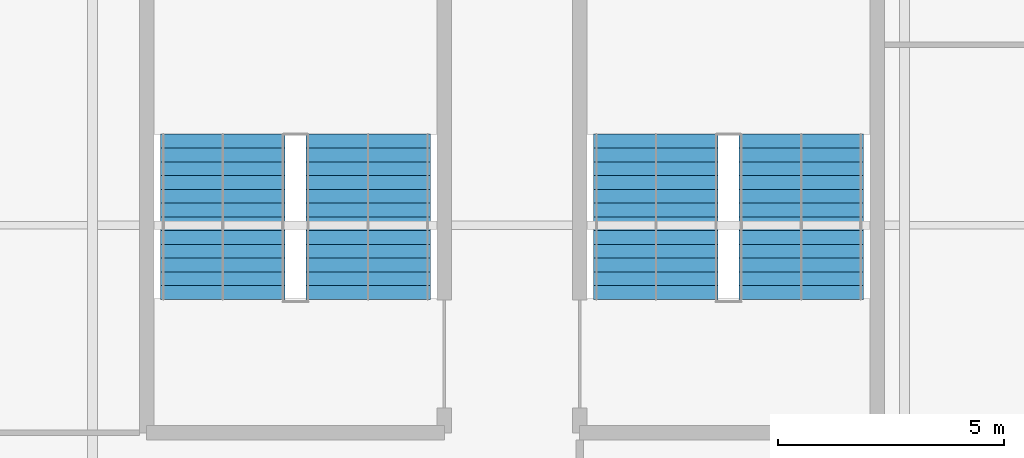
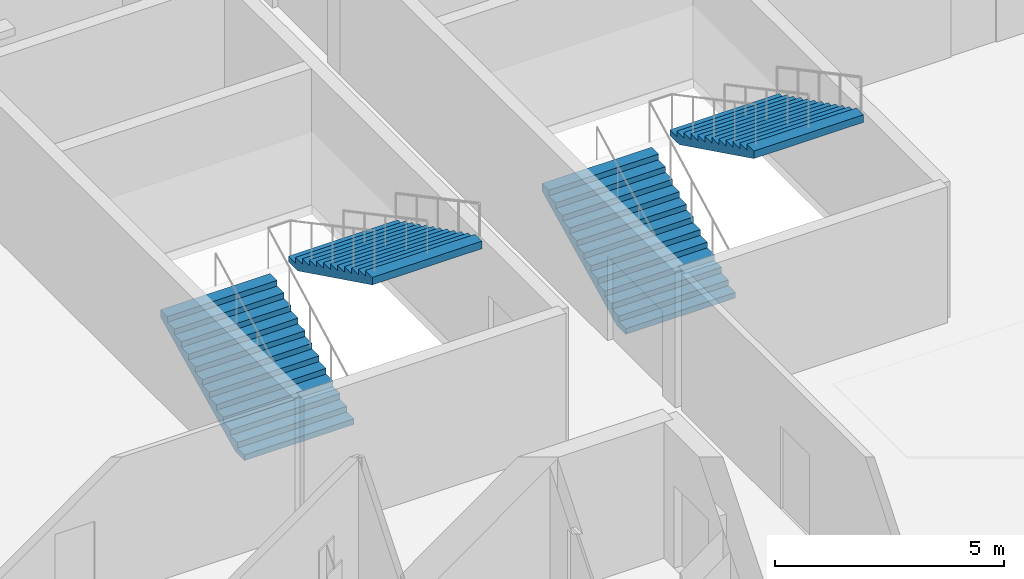
# One storey, part 82 of 98: 4 stair flights, 2 elements without a shape of their own.
"""IFC4 building model written with IfcOpenShell, lengths in metres."""

from ifc_helpers import new_model, si_unit, direction, frame, origin, place, context, subcontext, project, spatial, polygons, material, type_object, element, aggregate, save


model = new_model("IFC4")

# Units and contexts
model_context = context("Model", 3, precision=1e-05, world=origin(), true_north=direction((0.0, 1.0)))
body_context = subcontext(model_context, "Body", "Model", "MODEL_VIEW")
ifc_project = project(units=[si_unit("LENGTHUNIT", "METRE"), si_unit("AREAUNIT", "SQUARE_METRE"), si_unit("VOLUMEUNIT", "CUBIC_METRE"), si_unit("PLANEANGLEUNIT", "RADIAN"), si_unit("MASSUNIT", "GRAM", prefix="KILO")], contexts=[model_context])

# Site, building, storey
site_placement = place(None, origin())
site = spatial("IfcSite", under=ifc_project, at=site_placement, CompositionType="ELEMENT")
building_placement = place(site_placement, origin())
building = spatial("IfcBuilding", under=site, at=building_placement, Name="Kisiwana Market Hall", CompositionType="ELEMENT")
storey_placement = place(building_placement, frame((0.0, 0.0, 29.39990234375)))
storey = spatial("IfcBuildingStorey", under=building, at=storey_placement, Name="L06", CompositionType="ELEMENT", Elevation=29.39990234375)

# Stair, stair flights
ifc_material_1 = material(Name="Concrete C32/40", Category="concrete")
stair_type = type_object("IfcStairType", Name="ST-ESC-3900", PredefinedType="TWO_STRAIGHT_RUN_STAIR", material=ifc_material_1)
stair_1_placement = place(storey_placement, origin())
stair_1 = element("IfcStair", 1, at=stair_1_placement, inside=storey, type_object=stair_type, Name="Escape stair ST-W3-L06", PredefinedType="TWO_STRAIGHT_RUN_STAIR")
ifc_material_2 = material(Name="Concrete C32/40", Category="concrete")
stair_flight_type = type_object("IfcStairFlightType", Name="SF-ESC-3900", PredefinedType="STRAIGHT", material=ifc_material_2)
stair_flight_1_placement = place(storey_placement, frame((11.889892578125, 42.360107421875, 0.0), z_axis=(0.0, 0.0, 1.0), x_axis=(0.0, 1.0, 0.0)))
stair_flight_1 = element("IfcStairFlight", 2, at=stair_flight_1_placement, type_object=stair_flight_type, Name="ST-W3-L06 flight 1", NumberOfRisers=13, NumberOfTreads=12, PredefinedType="STRAIGHT", RiserHeight=0.15, TreadLength=0.305, context=body_context, shape_type="Tessellation", body=[
    polygons([(0.0, -1.380127, 0.0), (0.0, -0.690125, 0.0), (0.0, -0.000122, 0.0), (0.0, 0.68988, 0.0), (0.0, 1.379883, 0.0), (0.0, -1.380127, 0.149902), (0.0, -0.690125, 0.149902), (0.0, -0.000122, 0.149902), (0.0, 0.68988, 0.149902), (0.0, 1.379883, 0.149902), (0.304932, -1.380127, 0.149902), (0.304932, -0.690125, 0.149902), (0.304932, -0.000122, 0.149902), (0.304932, 0.68988, 0.149902), (0.304932, 1.379883, 0.149902), (0.304932, -1.380127, 0.300049), (0.304932, -0.690125, 0.300049), (0.304932, -0.000122, 0.300049), (0.304932, 0.68988, 0.300049), (0.304932, 1.379883, 0.300049), (0.610107, -1.380127, 0.300049), (0.610107, -0.690125, 0.300049), (0.610107, -0.000122, 0.300049), (0.610107, 0.68988, 0.300049), (0.610107, 1.379883, 0.300049), (0.610107, -1.380127, 0.449951), (0.610107, -0.690125, 0.449951), (0.610107, -0.000122, 0.449951), (0.610107, 0.68988, 0.449951), (0.610107, 1.379883, 0.449951), (0.915039, -1.380127, 0.449951), (0.915039, -0.690125, 0.449951), (0.915039, -0.000122, 0.449951), (0.915039, 0.68988, 0.449951), (0.915039, 1.379883, 0.449951), (0.915039, -1.380127, 0.600098), (0.915039, -0.690125, 0.600098), (0.915039, -0.000122, 0.600098), (0.915039, 0.68988, 0.600098), (0.915039, 1.379883, 0.600098), (1.219971, -1.380127, 0.600098), (1.219971, -0.690125, 0.600098), (1.219971, -0.000122, 0.600098), (1.219971, 0.68988, 0.600098), (1.219971, 1.379883, 0.600098), (1.219971, -1.380127, 0.75), (1.219971, -0.690125, 0.75), (1.219971, -0.000122, 0.75), (1.219971, 0.68988, 0.75), (1.219971, 1.379883, 0.75), (1.524902, -1.380127, 0.75), (1.524902, -0.690125, 0.75), (1.524902, -0.000122, 0.75), (1.524902, 0.68988, 0.75), (1.524902, 1.379883, 0.75), (1.524902, -1.380127, 0.899902), (1.524902, -0.690125, 0.899902), (1.524902, -0.000122, 0.899902), (1.524902, 0.68988, 0.899902), (1.524902, 1.379883, 0.899902), (1.830078, -1.380127, 0.899902), (1.830078, -0.690125, 0.899902), (1.830078, -0.000122, 0.899902), (1.830078, 0.68988, 0.899902), (1.830078, 1.379883, 0.899902), (1.830078, -1.380127, 1.050049), (1.830078, -0.690125, 1.050049), (1.830078, -0.000122, 1.050049), (1.830078, 0.68988, 1.050049), (1.830078, 1.379883, 1.050049), (2.13501, -1.380127, 1.050049), (2.13501, -0.690125, 1.050049), (2.13501, -0.000122, 1.050049), (2.13501, 0.68988, 1.050049), (2.13501, 1.379883, 1.050049), (2.13501, -1.380127, 1.199951), (2.13501, -0.690125, 1.199951), (2.13501, -0.000122, 1.199951), (2.13501, 0.68988, 1.199951), (2.13501, 1.379883, 1.199951), (2.439941, -1.380127, 1.199951), (2.439941, -0.690125, 1.199951), (2.439941, -0.000122, 1.199951), (2.439941, 0.68988, 1.199951), (2.439941, 1.379883, 1.199951), (2.439941, -1.380127, 1.350098), (2.439941, -0.690125, 1.350098), (2.439941, -0.000122, 1.350098), (2.439941, 0.68988, 1.350098), (2.439941, 1.379883, 1.350098), (2.745117, -1.380127, 1.350098), (2.745117, -0.690125, 1.350098), (2.745117, -0.000122, 1.350098), (2.745117, 0.68988, 1.350098), (2.745117, 1.379883, 1.350098), (2.745117, -1.380127, 1.5), (2.745117, -0.690125, 1.5), (2.745117, -0.000122, 1.5), (2.745117, 0.68988, 1.5), (2.745117, 1.379883, 1.5), (3.050049, -1.380127, 1.5), (3.050049, -0.690125, 1.5), (3.050049, -0.000122, 1.5), (3.050049, 0.68988, 1.5), (3.050049, 1.379883, 1.5), (3.050049, -1.380127, 1.649902), (3.050049, -0.690125, 1.649902), (3.050049, -0.000122, 1.649902), (3.050049, 0.68988, 1.649902), (3.050049, 1.379883, 1.649902), (3.35498, -1.380127, 1.649902), (3.35498, -0.690125, 1.649902), (3.35498, -0.000122, 1.649902), (3.35498, 0.68988, 1.649902), (3.35498, 1.379883, 1.649902), (3.35498, -1.380127, 1.800049), (3.35498, -0.690125, 1.800049), (3.35498, -0.000122, 1.800049), (3.35498, 0.68988, 1.800049), (3.35498, 1.379883, 1.800049), (3.659912, -1.380127, 1.800049), (3.659912, -0.690125, 1.800049), (3.659912, -0.000122, 1.800049), (3.659912, 0.68988, 1.800049), (3.659912, 1.379883, 1.800049), (3.659912, -1.380127, 1.599365), (3.659912, -0.690125, 1.599365), (3.659912, -0.000122, 1.599365), (3.659912, 0.68988, 1.599365), (3.659912, 1.379883, 1.599365), (0.407715, -1.380127, 0.0), (0.407715, -0.690125, 0.0), (0.407715, -0.000122, 0.0), (0.407715, 0.68988, 0.0), (0.407715, 1.379883, 0.0)], [[[1, 6, 7, 2]], [[2, 7, 8, 3]], [[3, 8, 9, 4]], [[4, 9, 10, 5]], [[6, 11, 12, 7]], [[7, 12, 13, 8]], [[8, 13, 14, 9]], [[9, 14, 15, 10]], [[11, 16, 17, 12]], [[12, 17, 18, 13]], [[13, 18, 19, 14]], [[14, 19, 20, 15]], [[16, 21, 22, 17]], [[17, 22, 23, 18]], [[18, 23, 24, 19]], [[19, 24, 25, 20]], [[21, 26, 27, 22]], [[22, 27, 28, 23]], [[23, 28, 29, 24]], [[24, 29, 30, 25]], [[26, 31, 32, 27]], [[27, 32, 33, 28]], [[28, 33, 34, 29]], [[29, 34, 35, 30]], [[31, 36, 37, 32]], [[32, 37, 38, 33]], [[33, 38, 39, 34]], [[34, 39, 40, 35]], [[36, 41, 42, 37]], [[37, 42, 43, 38]], [[38, 43, 44, 39]], [[39, 44, 45, 40]], [[41, 46, 47, 42]], [[42, 47, 48, 43]], [[43, 48, 49, 44]], [[44, 49, 50, 45]], [[46, 51, 52, 47]], [[47, 52, 53, 48]], [[48, 53, 54, 49]], [[49, 54, 55, 50]], [[51, 56, 57, 52]], [[52, 57, 58, 53]], [[53, 58, 59, 54]], [[54, 59, 60, 55]], [[56, 61, 62, 57]], [[57, 62, 63, 58]], [[58, 63, 64, 59]], [[59, 64, 65, 60]], [[61, 66, 67, 62]], [[62, 67, 68, 63]], [[63, 68, 69, 64]], [[64, 69, 70, 65]], [[66, 71, 72, 67]], [[67, 72, 73, 68]], [[68, 73, 74, 69]], [[69, 74, 75, 70]], [[71, 76, 77, 72]], [[72, 77, 78, 73]], [[73, 78, 79, 74]], [[74, 79, 80, 75]], [[76, 81, 82, 77]], [[77, 82, 83, 78]], [[78, 83, 84, 79]], [[79, 84, 85, 80]], [[81, 86, 87, 82]], [[82, 87, 88, 83]], [[83, 88, 89, 84]], [[84, 89, 90, 85]], [[86, 91, 92, 87]], [[87, 92, 93, 88]], [[88, 93, 94, 89]], [[89, 94, 95, 90]], [[91, 96, 97, 92]], [[92, 97, 98, 93]], [[93, 98, 99, 94]], [[94, 99, 100, 95]], [[96, 101, 102, 97]], [[97, 102, 103, 98]], [[98, 103, 104, 99]], [[99, 104, 105, 100]], [[101, 106, 107, 102]], [[102, 107, 108, 103]], [[103, 108, 109, 104]], [[104, 109, 110, 105]], [[106, 111, 112, 107]], [[107, 112, 113, 108]], [[108, 113, 114, 109]], [[109, 114, 115, 110]], [[111, 116, 117, 112]], [[112, 117, 118, 113]], [[113, 118, 119, 114]], [[114, 119, 120, 115]], [[116, 121, 122, 117]], [[117, 122, 123, 118]], [[118, 123, 124, 119]], [[119, 124, 125, 120]], [[121, 126, 127, 122]], [[122, 127, 128, 123]], [[123, 128, 129, 124]], [[124, 129, 130, 125]], [[126, 131, 132, 127]], [[127, 132, 133, 128]], [[128, 133, 134, 129]], [[129, 134, 135, 130]], [[131, 1, 2, 132]], [[132, 2, 3, 133]], [[133, 3, 4, 134]], [[134, 4, 5, 135]], [[131, 126, 121, 116, 111, 106, 101, 96, 91, 86, 81, 76, 71, 66, 61, 56, 51, 46, 41, 36, 31, 26, 21, 16, 11, 6, 1]], [[5, 10, 15, 20, 25, 30, 35, 40, 45, 50, 55, 60, 65, 70, 75, 80, 85, 90, 95, 100, 105, 110, 115, 120, 125, 130, 135]]], closed=True),
])
stair_flight_2_placement = place(storey_placement, frame((15.110107421875, 46.02001953125, 1.9501953125), z_axis=(0.0, 0.0, 1.0), x_axis=(0.0, -1.0, 0.0)))
stair_flight_2 = element("IfcStairFlight", 3, at=stair_flight_2_placement, type_object=stair_flight_type, Name="ST-W3-L06 flight 2", NumberOfRisers=13, NumberOfTreads=12, PredefinedType="STRAIGHT", RiserHeight=0.15, TreadLength=0.305, context=body_context, shape_type="Tessellation", body=[
    polygons([(0.0, -1.380127, 0.0), (0.0, -0.690125, 0.0), (0.0, -0.000122, 0.0), (0.0, 0.68988, 0.0), (0.0, 1.379883, 0.0), (0.0, -1.380127, 0.149902), (0.0, -0.690125, 0.149902), (0.0, -0.000122, 0.149902), (0.0, 0.68988, 0.149902), (0.0, 1.379883, 0.149902), (0.304932, -1.380127, 0.149902), (0.304932, -0.690125, 0.149902), (0.304932, -0.000122, 0.149902), (0.304932, 0.68988, 0.149902), (0.304932, 1.379883, 0.149902), (0.304932, -1.380127, 0.300049), (0.304932, -0.690125, 0.300049), (0.304932, -0.000122, 0.300049), (0.304932, 0.68988, 0.300049), (0.304932, 1.379883, 0.300049), (0.610107, -1.380127, 0.300049), (0.610107, -0.690125, 0.300049), (0.610107, -0.000122, 0.300049), (0.610107, 0.68988, 0.300049), (0.610107, 1.379883, 0.300049), (0.610107, -1.380127, 0.449951), (0.610107, -0.690125, 0.449951), (0.610107, -0.000122, 0.449951), (0.610107, 0.68988, 0.449951), (0.610107, 1.379883, 0.449951), (0.915039, -1.380127, 0.449951), (0.915039, -0.690125, 0.449951), (0.915039, -0.000122, 0.449951), (0.915039, 0.68988, 0.449951), (0.915039, 1.379883, 0.449951), (0.915039, -1.380127, 0.600098), (0.915039, -0.690125, 0.600098), (0.915039, -0.000122, 0.600098), (0.915039, 0.68988, 0.600098), (0.915039, 1.379883, 0.600098), (1.219971, -1.380127, 0.600098), (1.219971, -0.690125, 0.600098), (1.219971, -0.000122, 0.600098), (1.219971, 0.68988, 0.600098), (1.219971, 1.379883, 0.600098), (1.219971, -1.380127, 0.75), (1.219971, -0.690125, 0.75), (1.219971, -0.000122, 0.75), (1.219971, 0.68988, 0.75), (1.219971, 1.379883, 0.75), (1.524902, -1.380127, 0.75), (1.524902, -0.690125, 0.75), (1.524902, -0.000122, 0.75), (1.524902, 0.68988, 0.75), (1.524902, 1.379883, 0.75), (1.524902, -1.380127, 0.899902), (1.524902, -0.690125, 0.899902), (1.524902, -0.000122, 0.899902), (1.524902, 0.68988, 0.899902), (1.524902, 1.379883, 0.899902), (1.830078, -1.380127, 0.899902), (1.830078, -0.690125, 0.899902), (1.830078, -0.000122, 0.899902), (1.830078, 0.68988, 0.899902), (1.830078, 1.379883, 0.899902), (1.830078, -1.380127, 1.050049), (1.830078, -0.690125, 1.050049), (1.830078, -0.000122, 1.050049), (1.830078, 0.68988, 1.050049), (1.830078, 1.379883, 1.050049), (2.13501, -1.380127, 1.050049), (2.13501, -0.690125, 1.050049), (2.13501, -0.000122, 1.050049), (2.13501, 0.68988, 1.050049), (2.13501, 1.379883, 1.050049), (2.13501, -1.380127, 1.199951), (2.13501, -0.690125, 1.199951), (2.13501, -0.000122, 1.199951), (2.13501, 0.68988, 1.199951), (2.13501, 1.379883, 1.199951), (2.439941, -1.380127, 1.199951), (2.439941, -0.690125, 1.199951), (2.439941, -0.000122, 1.199951), (2.439941, 0.68988, 1.199951), (2.439941, 1.379883, 1.199951), (2.439941, -1.380127, 1.350098), (2.439941, -0.690125, 1.350098), (2.439941, -0.000122, 1.350098), (2.439941, 0.68988, 1.350098), (2.439941, 1.379883, 1.350098), (2.745117, -1.380127, 1.350098), (2.745117, -0.690125, 1.350098), (2.745117, -0.000122, 1.350098), (2.745117, 0.68988, 1.350098), (2.745117, 1.379883, 1.350098), (2.745117, -1.380127, 1.5), (2.745117, -0.690125, 1.5), (2.745117, -0.000122, 1.5), (2.745117, 0.68988, 1.5), (2.745117, 1.379883, 1.5), (3.050049, -1.380127, 1.5), (3.050049, -0.690125, 1.5), (3.050049, -0.000122, 1.5), (3.050049, 0.68988, 1.5), (3.050049, 1.379883, 1.5), (3.050049, -1.380127, 1.649902), (3.050049, -0.690125, 1.649902), (3.050049, -0.000122, 1.649902), (3.050049, 0.68988, 1.649902), (3.050049, 1.379883, 1.649902), (3.35498, -1.380127, 1.649902), (3.35498, -0.690125, 1.649902), (3.35498, -0.000122, 1.649902), (3.35498, 0.68988, 1.649902), (3.35498, 1.379883, 1.649902), (3.35498, -1.380127, 1.800049), (3.35498, -0.690125, 1.800049), (3.35498, -0.000122, 1.800049), (3.35498, 0.68988, 1.800049), (3.35498, 1.379883, 1.800049), (3.659912, -1.380127, 1.800049), (3.659912, -0.690125, 1.800049), (3.659912, -0.000122, 1.800049), (3.659912, 0.68988, 1.800049), (3.659912, 1.379883, 1.800049), (3.659912, -1.380127, 1.599365), (3.659912, -0.690125, 1.599365), (3.659912, -0.000122, 1.599365), (3.659912, 0.68988, 1.599365), (3.659912, 1.379883, 1.599365), (0.407715, -1.380127, 0.0), (0.407715, -0.690125, 0.0), (0.407715, -0.000122, 0.0), (0.407715, 0.68988, 0.0), (0.407715, 1.379883, 0.0)], [[[1, 6, 7, 2]], [[2, 7, 8, 3]], [[3, 8, 9, 4]], [[4, 9, 10, 5]], [[6, 11, 12, 7]], [[7, 12, 13, 8]], [[8, 13, 14, 9]], [[9, 14, 15, 10]], [[11, 16, 17, 12]], [[12, 17, 18, 13]], [[13, 18, 19, 14]], [[14, 19, 20, 15]], [[16, 21, 22, 17]], [[17, 22, 23, 18]], [[18, 23, 24, 19]], [[19, 24, 25, 20]], [[21, 26, 27, 22]], [[22, 27, 28, 23]], [[23, 28, 29, 24]], [[24, 29, 30, 25]], [[26, 31, 32, 27]], [[27, 32, 33, 28]], [[28, 33, 34, 29]], [[29, 34, 35, 30]], [[31, 36, 37, 32]], [[32, 37, 38, 33]], [[33, 38, 39, 34]], [[34, 39, 40, 35]], [[36, 41, 42, 37]], [[37, 42, 43, 38]], [[38, 43, 44, 39]], [[39, 44, 45, 40]], [[41, 46, 47, 42]], [[42, 47, 48, 43]], [[43, 48, 49, 44]], [[44, 49, 50, 45]], [[46, 51, 52, 47]], [[47, 52, 53, 48]], [[48, 53, 54, 49]], [[49, 54, 55, 50]], [[51, 56, 57, 52]], [[52, 57, 58, 53]], [[53, 58, 59, 54]], [[54, 59, 60, 55]], [[56, 61, 62, 57]], [[57, 62, 63, 58]], [[58, 63, 64, 59]], [[59, 64, 65, 60]], [[61, 66, 67, 62]], [[62, 67, 68, 63]], [[63, 68, 69, 64]], [[64, 69, 70, 65]], [[66, 71, 72, 67]], [[67, 72, 73, 68]], [[68, 73, 74, 69]], [[69, 74, 75, 70]], [[71, 76, 77, 72]], [[72, 77, 78, 73]], [[73, 78, 79, 74]], [[74, 79, 80, 75]], [[76, 81, 82, 77]], [[77, 82, 83, 78]], [[78, 83, 84, 79]], [[79, 84, 85, 80]], [[81, 86, 87, 82]], [[82, 87, 88, 83]], [[83, 88, 89, 84]], [[84, 89, 90, 85]], [[86, 91, 92, 87]], [[87, 92, 93, 88]], [[88, 93, 94, 89]], [[89, 94, 95, 90]], [[91, 96, 97, 92]], [[92, 97, 98, 93]], [[93, 98, 99, 94]], [[94, 99, 100, 95]], [[96, 101, 102, 97]], [[97, 102, 103, 98]], [[98, 103, 104, 99]], [[99, 104, 105, 100]], [[101, 106, 107, 102]], [[102, 107, 108, 103]], [[103, 108, 109, 104]], [[104, 109, 110, 105]], [[106, 111, 112, 107]], [[107, 112, 113, 108]], [[108, 113, 114, 109]], [[109, 114, 115, 110]], [[111, 116, 117, 112]], [[112, 117, 118, 113]], [[113, 118, 119, 114]], [[114, 119, 120, 115]], [[116, 121, 122, 117]], [[117, 122, 123, 118]], [[118, 123, 124, 119]], [[119, 124, 125, 120]], [[121, 126, 127, 122]], [[122, 127, 128, 123]], [[123, 128, 129, 124]], [[124, 129, 130, 125]], [[126, 131, 132, 127]], [[127, 132, 133, 128]], [[128, 133, 134, 129]], [[129, 134, 135, 130]], [[131, 1, 2, 132]], [[132, 2, 3, 133]], [[133, 3, 4, 134]], [[134, 4, 5, 135]], [[131, 126, 121, 116, 111, 106, 101, 96, 91, 86, 81, 76, 71, 66, 61, 56, 51, 46, 41, 36, 31, 26, 21, 16, 11, 6, 1]], [[5, 10, 15, 20, 25, 30, 35, 40, 45, 50, 55, 60, 65, 70, 75, 80, 85, 90, 95, 100, 105, 110, 115, 120, 125, 130, 135]]], closed=True),
])
aggregate(stair_1, [stair_flight_1, stair_flight_2])

stair_2_placement = place(storey_placement, origin())
stair_2 = element("IfcStair", 4, at=stair_2_placement, inside=storey, type_object=stair_type, Name="Escape stair ST-W7-L06", PredefinedType="TWO_STRAIGHT_RUN_STAIR")
stair_flight_3_placement = place(storey_placement, frame((21.489990234375, 42.360107421875, 0.0), z_axis=(0.0, 0.0, 1.0), x_axis=(0.0, 1.0, 0.0)))
stair_flight_3 = element("IfcStairFlight", 5, at=stair_flight_3_placement, type_object=stair_flight_type, Name="ST-W7-L06 flight 1", NumberOfRisers=13, NumberOfTreads=12, PredefinedType="STRAIGHT", RiserHeight=0.15, TreadLength=0.305, context=body_context, shape_type="Tessellation", body=[
    polygons([(0.0, -1.380127, 0.0), (0.0, -0.690125, 0.0), (0.0, -0.000122, 0.0), (0.0, 0.68988, 0.0), (0.0, 1.379883, 0.0), (0.0, -1.380127, 0.149902), (0.0, -0.690125, 0.149902), (0.0, -0.000122, 0.149902), (0.0, 0.68988, 0.149902), (0.0, 1.379883, 0.149902), (0.304932, -1.380127, 0.149902), (0.304932, -0.690125, 0.149902), (0.304932, -0.000122, 0.149902), (0.304932, 0.68988, 0.149902), (0.304932, 1.379883, 0.149902), (0.304932, -1.380127, 0.300049), (0.304932, -0.690125, 0.300049), (0.304932, -0.000122, 0.300049), (0.304932, 0.68988, 0.300049), (0.304932, 1.379883, 0.300049), (0.610107, -1.380127, 0.300049), (0.610107, -0.690125, 0.300049), (0.610107, -0.000122, 0.300049), (0.610107, 0.68988, 0.300049), (0.610107, 1.379883, 0.300049), (0.610107, -1.380127, 0.449951), (0.610107, -0.690125, 0.449951), (0.610107, -0.000122, 0.449951), (0.610107, 0.68988, 0.449951), (0.610107, 1.379883, 0.449951), (0.915039, -1.380127, 0.449951), (0.915039, -0.690125, 0.449951), (0.915039, -0.000122, 0.449951), (0.915039, 0.68988, 0.449951), (0.915039, 1.379883, 0.449951), (0.915039, -1.380127, 0.600098), (0.915039, -0.690125, 0.600098), (0.915039, -0.000122, 0.600098), (0.915039, 0.68988, 0.600098), (0.915039, 1.379883, 0.600098), (1.219971, -1.380127, 0.600098), (1.219971, -0.690125, 0.600098), (1.219971, -0.000122, 0.600098), (1.219971, 0.68988, 0.600098), (1.219971, 1.379883, 0.600098), (1.219971, -1.380127, 0.75), (1.219971, -0.690125, 0.75), (1.219971, -0.000122, 0.75), (1.219971, 0.68988, 0.75), (1.219971, 1.379883, 0.75), (1.524902, -1.380127, 0.75), (1.524902, -0.690125, 0.75), (1.524902, -0.000122, 0.75), (1.524902, 0.68988, 0.75), (1.524902, 1.379883, 0.75), (1.524902, -1.380127, 0.899902), (1.524902, -0.690125, 0.899902), (1.524902, -0.000122, 0.899902), (1.524902, 0.68988, 0.899902), (1.524902, 1.379883, 0.899902), (1.830078, -1.380127, 0.899902), (1.830078, -0.690125, 0.899902), (1.830078, -0.000122, 0.899902), (1.830078, 0.68988, 0.899902), (1.830078, 1.379883, 0.899902), (1.830078, -1.380127, 1.050049), (1.830078, -0.690125, 1.050049), (1.830078, -0.000122, 1.050049), (1.830078, 0.68988, 1.050049), (1.830078, 1.379883, 1.050049), (2.13501, -1.380127, 1.050049), (2.13501, -0.690125, 1.050049), (2.13501, -0.000122, 1.050049), (2.13501, 0.68988, 1.050049), (2.13501, 1.379883, 1.050049), (2.13501, -1.380127, 1.199951), (2.13501, -0.690125, 1.199951), (2.13501, -0.000122, 1.199951), (2.13501, 0.68988, 1.199951), (2.13501, 1.379883, 1.199951), (2.439941, -1.380127, 1.199951), (2.439941, -0.690125, 1.199951), (2.439941, -0.000122, 1.199951), (2.439941, 0.68988, 1.199951), (2.439941, 1.379883, 1.199951), (2.439941, -1.380127, 1.350098), (2.439941, -0.690125, 1.350098), (2.439941, -0.000122, 1.350098), (2.439941, 0.68988, 1.350098), (2.439941, 1.379883, 1.350098), (2.745117, -1.380127, 1.350098), (2.745117, -0.690125, 1.350098), (2.745117, -0.000122, 1.350098), (2.745117, 0.68988, 1.350098), (2.745117, 1.379883, 1.350098), (2.745117, -1.380127, 1.5), (2.745117, -0.690125, 1.5), (2.745117, -0.000122, 1.5), (2.745117, 0.68988, 1.5), (2.745117, 1.379883, 1.5), (3.050049, -1.380127, 1.5), (3.050049, -0.690125, 1.5), (3.050049, -0.000122, 1.5), (3.050049, 0.68988, 1.5), (3.050049, 1.379883, 1.5), (3.050049, -1.380127, 1.649902), (3.050049, -0.690125, 1.649902), (3.050049, -0.000122, 1.649902), (3.050049, 0.68988, 1.649902), (3.050049, 1.379883, 1.649902), (3.35498, -1.380127, 1.649902), (3.35498, -0.690125, 1.649902), (3.35498, -0.000122, 1.649902), (3.35498, 0.68988, 1.649902), (3.35498, 1.379883, 1.649902), (3.35498, -1.380127, 1.800049), (3.35498, -0.690125, 1.800049), (3.35498, -0.000122, 1.800049), (3.35498, 0.68988, 1.800049), (3.35498, 1.379883, 1.800049), (3.659912, -1.380127, 1.800049), (3.659912, -0.690125, 1.800049), (3.659912, -0.000122, 1.800049), (3.659912, 0.68988, 1.800049), (3.659912, 1.379883, 1.800049), (3.659912, -1.380127, 1.599365), (3.659912, -0.690125, 1.599365), (3.659912, -0.000122, 1.599365), (3.659912, 0.68988, 1.599365), (3.659912, 1.379883, 1.599365), (0.407715, -1.380127, 0.0), (0.407715, -0.690125, 0.0), (0.407715, -0.000122, 0.0), (0.407715, 0.68988, 0.0), (0.407715, 1.379883, 0.0)], [[[1, 6, 7, 2]], [[2, 7, 8, 3]], [[3, 8, 9, 4]], [[4, 9, 10, 5]], [[6, 11, 12, 7]], [[7, 12, 13, 8]], [[8, 13, 14, 9]], [[9, 14, 15, 10]], [[11, 16, 17, 12]], [[12, 17, 18, 13]], [[13, 18, 19, 14]], [[14, 19, 20, 15]], [[16, 21, 22, 17]], [[17, 22, 23, 18]], [[18, 23, 24, 19]], [[19, 24, 25, 20]], [[21, 26, 27, 22]], [[22, 27, 28, 23]], [[23, 28, 29, 24]], [[24, 29, 30, 25]], [[26, 31, 32, 27]], [[27, 32, 33, 28]], [[28, 33, 34, 29]], [[29, 34, 35, 30]], [[31, 36, 37, 32]], [[32, 37, 38, 33]], [[33, 38, 39, 34]], [[34, 39, 40, 35]], [[36, 41, 42, 37]], [[37, 42, 43, 38]], [[38, 43, 44, 39]], [[39, 44, 45, 40]], [[41, 46, 47, 42]], [[42, 47, 48, 43]], [[43, 48, 49, 44]], [[44, 49, 50, 45]], [[46, 51, 52, 47]], [[47, 52, 53, 48]], [[48, 53, 54, 49]], [[49, 54, 55, 50]], [[51, 56, 57, 52]], [[52, 57, 58, 53]], [[53, 58, 59, 54]], [[54, 59, 60, 55]], [[56, 61, 62, 57]], [[57, 62, 63, 58]], [[58, 63, 64, 59]], [[59, 64, 65, 60]], [[61, 66, 67, 62]], [[62, 67, 68, 63]], [[63, 68, 69, 64]], [[64, 69, 70, 65]], [[66, 71, 72, 67]], [[67, 72, 73, 68]], [[68, 73, 74, 69]], [[69, 74, 75, 70]], [[71, 76, 77, 72]], [[72, 77, 78, 73]], [[73, 78, 79, 74]], [[74, 79, 80, 75]], [[76, 81, 82, 77]], [[77, 82, 83, 78]], [[78, 83, 84, 79]], [[79, 84, 85, 80]], [[81, 86, 87, 82]], [[82, 87, 88, 83]], [[83, 88, 89, 84]], [[84, 89, 90, 85]], [[86, 91, 92, 87]], [[87, 92, 93, 88]], [[88, 93, 94, 89]], [[89, 94, 95, 90]], [[91, 96, 97, 92]], [[92, 97, 98, 93]], [[93, 98, 99, 94]], [[94, 99, 100, 95]], [[96, 101, 102, 97]], [[97, 102, 103, 98]], [[98, 103, 104, 99]], [[99, 104, 105, 100]], [[101, 106, 107, 102]], [[102, 107, 108, 103]], [[103, 108, 109, 104]], [[104, 109, 110, 105]], [[106, 111, 112, 107]], [[107, 112, 113, 108]], [[108, 113, 114, 109]], [[109, 114, 115, 110]], [[111, 116, 117, 112]], [[112, 117, 118, 113]], [[113, 118, 119, 114]], [[114, 119, 120, 115]], [[116, 121, 122, 117]], [[117, 122, 123, 118]], [[118, 123, 124, 119]], [[119, 124, 125, 120]], [[121, 126, 127, 122]], [[122, 127, 128, 123]], [[123, 128, 129, 124]], [[124, 129, 130, 125]], [[126, 131, 132, 127]], [[127, 132, 133, 128]], [[128, 133, 134, 129]], [[129, 134, 135, 130]], [[131, 1, 2, 132]], [[132, 2, 3, 133]], [[133, 3, 4, 134]], [[134, 4, 5, 135]], [[131, 126, 121, 116, 111, 106, 101, 96, 91, 86, 81, 76, 71, 66, 61, 56, 51, 46, 41, 36, 31, 26, 21, 16, 11, 6, 1]], [[5, 10, 15, 20, 25, 30, 35, 40, 45, 50, 55, 60, 65, 70, 75, 80, 85, 90, 95, 100, 105, 110, 115, 120, 125, 130, 135]]], closed=True),
])
stair_flight_4_placement = place(storey_placement, frame((24.7099609375, 46.02001953125, 1.9501953125), z_axis=(0.0, 0.0, 1.0), x_axis=(0.0, -1.0, 0.0)))
stair_flight_4 = element("IfcStairFlight", 6, at=stair_flight_4_placement, type_object=stair_flight_type, Name="ST-W7-L06 flight 2", NumberOfRisers=13, NumberOfTreads=12, PredefinedType="STRAIGHT", RiserHeight=0.15, TreadLength=0.305, context=body_context, shape_type="Tessellation", body=[
    polygons([(0.0, -1.380127, 0.0), (0.0, -0.690125, 0.0), (0.0, -0.000122, 0.0), (0.0, 0.68988, 0.0), (0.0, 1.379883, 0.0), (0.0, -1.380127, 0.149902), (0.0, -0.690125, 0.149902), (0.0, -0.000122, 0.149902), (0.0, 0.68988, 0.149902), (0.0, 1.379883, 0.149902), (0.304932, -1.380127, 0.149902), (0.304932, -0.690125, 0.149902), (0.304932, -0.000122, 0.149902), (0.304932, 0.68988, 0.149902), (0.304932, 1.379883, 0.149902), (0.304932, -1.380127, 0.300049), (0.304932, -0.690125, 0.300049), (0.304932, -0.000122, 0.300049), (0.304932, 0.68988, 0.300049), (0.304932, 1.379883, 0.300049), (0.610107, -1.380127, 0.300049), (0.610107, -0.690125, 0.300049), (0.610107, -0.000122, 0.300049), (0.610107, 0.68988, 0.300049), (0.610107, 1.379883, 0.300049), (0.610107, -1.380127, 0.449951), (0.610107, -0.690125, 0.449951), (0.610107, -0.000122, 0.449951), (0.610107, 0.68988, 0.449951), (0.610107, 1.379883, 0.449951), (0.915039, -1.380127, 0.449951), (0.915039, -0.690125, 0.449951), (0.915039, -0.000122, 0.449951), (0.915039, 0.68988, 0.449951), (0.915039, 1.379883, 0.449951), (0.915039, -1.380127, 0.600098), (0.915039, -0.690125, 0.600098), (0.915039, -0.000122, 0.600098), (0.915039, 0.68988, 0.600098), (0.915039, 1.379883, 0.600098), (1.219971, -1.380127, 0.600098), (1.219971, -0.690125, 0.600098), (1.219971, -0.000122, 0.600098), (1.219971, 0.68988, 0.600098), (1.219971, 1.379883, 0.600098), (1.219971, -1.380127, 0.75), (1.219971, -0.690125, 0.75), (1.219971, -0.000122, 0.75), (1.219971, 0.68988, 0.75), (1.219971, 1.379883, 0.75), (1.524902, -1.380127, 0.75), (1.524902, -0.690125, 0.75), (1.524902, -0.000122, 0.75), (1.524902, 0.68988, 0.75), (1.524902, 1.379883, 0.75), (1.524902, -1.380127, 0.899902), (1.524902, -0.690125, 0.899902), (1.524902, -0.000122, 0.899902), (1.524902, 0.68988, 0.899902), (1.524902, 1.379883, 0.899902), (1.830078, -1.380127, 0.899902), (1.830078, -0.690125, 0.899902), (1.830078, -0.000122, 0.899902), (1.830078, 0.68988, 0.899902), (1.830078, 1.379883, 0.899902), (1.830078, -1.380127, 1.050049), (1.830078, -0.690125, 1.050049), (1.830078, -0.000122, 1.050049), (1.830078, 0.68988, 1.050049), (1.830078, 1.379883, 1.050049), (2.13501, -1.380127, 1.050049), (2.13501, -0.690125, 1.050049), (2.13501, -0.000122, 1.050049), (2.13501, 0.68988, 1.050049), (2.13501, 1.379883, 1.050049), (2.13501, -1.380127, 1.199951), (2.13501, -0.690125, 1.199951), (2.13501, -0.000122, 1.199951), (2.13501, 0.68988, 1.199951), (2.13501, 1.379883, 1.199951), (2.439941, -1.380127, 1.199951), (2.439941, -0.690125, 1.199951), (2.439941, -0.000122, 1.199951), (2.439941, 0.68988, 1.199951), (2.439941, 1.379883, 1.199951), (2.439941, -1.380127, 1.350098), (2.439941, -0.690125, 1.350098), (2.439941, -0.000122, 1.350098), (2.439941, 0.68988, 1.350098), (2.439941, 1.379883, 1.350098), (2.745117, -1.380127, 1.350098), (2.745117, -0.690125, 1.350098), (2.745117, -0.000122, 1.350098), (2.745117, 0.68988, 1.350098), (2.745117, 1.379883, 1.350098), (2.745117, -1.380127, 1.5), (2.745117, -0.690125, 1.5), (2.745117, -0.000122, 1.5), (2.745117, 0.68988, 1.5), (2.745117, 1.379883, 1.5), (3.050049, -1.380127, 1.5), (3.050049, -0.690125, 1.5), (3.050049, -0.000122, 1.5), (3.050049, 0.68988, 1.5), (3.050049, 1.379883, 1.5), (3.050049, -1.380127, 1.649902), (3.050049, -0.690125, 1.649902), (3.050049, -0.000122, 1.649902), (3.050049, 0.68988, 1.649902), (3.050049, 1.379883, 1.649902), (3.35498, -1.380127, 1.649902), (3.35498, -0.690125, 1.649902), (3.35498, -0.000122, 1.649902), (3.35498, 0.68988, 1.649902), (3.35498, 1.379883, 1.649902), (3.35498, -1.380127, 1.800049), (3.35498, -0.690125, 1.800049), (3.35498, -0.000122, 1.800049), (3.35498, 0.68988, 1.800049), (3.35498, 1.379883, 1.800049), (3.659912, -1.380127, 1.800049), (3.659912, -0.690125, 1.800049), (3.659912, -0.000122, 1.800049), (3.659912, 0.68988, 1.800049), (3.659912, 1.379883, 1.800049), (3.659912, -1.380127, 1.599365), (3.659912, -0.690125, 1.599365), (3.659912, -0.000122, 1.599365), (3.659912, 0.68988, 1.599365), (3.659912, 1.379883, 1.599365), (0.407715, -1.380127, 0.0), (0.407715, -0.690125, 0.0), (0.407715, -0.000122, 0.0), (0.407715, 0.68988, 0.0), (0.407715, 1.379883, 0.0)], [[[1, 6, 7, 2]], [[2, 7, 8, 3]], [[3, 8, 9, 4]], [[4, 9, 10, 5]], [[6, 11, 12, 7]], [[7, 12, 13, 8]], [[8, 13, 14, 9]], [[9, 14, 15, 10]], [[11, 16, 17, 12]], [[12, 17, 18, 13]], [[13, 18, 19, 14]], [[14, 19, 20, 15]], [[16, 21, 22, 17]], [[17, 22, 23, 18]], [[18, 23, 24, 19]], [[19, 24, 25, 20]], [[21, 26, 27, 22]], [[22, 27, 28, 23]], [[23, 28, 29, 24]], [[24, 29, 30, 25]], [[26, 31, 32, 27]], [[27, 32, 33, 28]], [[28, 33, 34, 29]], [[29, 34, 35, 30]], [[31, 36, 37, 32]], [[32, 37, 38, 33]], [[33, 38, 39, 34]], [[34, 39, 40, 35]], [[36, 41, 42, 37]], [[37, 42, 43, 38]], [[38, 43, 44, 39]], [[39, 44, 45, 40]], [[41, 46, 47, 42]], [[42, 47, 48, 43]], [[43, 48, 49, 44]], [[44, 49, 50, 45]], [[46, 51, 52, 47]], [[47, 52, 53, 48]], [[48, 53, 54, 49]], [[49, 54, 55, 50]], [[51, 56, 57, 52]], [[52, 57, 58, 53]], [[53, 58, 59, 54]], [[54, 59, 60, 55]], [[56, 61, 62, 57]], [[57, 62, 63, 58]], [[58, 63, 64, 59]], [[59, 64, 65, 60]], [[61, 66, 67, 62]], [[62, 67, 68, 63]], [[63, 68, 69, 64]], [[64, 69, 70, 65]], [[66, 71, 72, 67]], [[67, 72, 73, 68]], [[68, 73, 74, 69]], [[69, 74, 75, 70]], [[71, 76, 77, 72]], [[72, 77, 78, 73]], [[73, 78, 79, 74]], [[74, 79, 80, 75]], [[76, 81, 82, 77]], [[77, 82, 83, 78]], [[78, 83, 84, 79]], [[79, 84, 85, 80]], [[81, 86, 87, 82]], [[82, 87, 88, 83]], [[83, 88, 89, 84]], [[84, 89, 90, 85]], [[86, 91, 92, 87]], [[87, 92, 93, 88]], [[88, 93, 94, 89]], [[89, 94, 95, 90]], [[91, 96, 97, 92]], [[92, 97, 98, 93]], [[93, 98, 99, 94]], [[94, 99, 100, 95]], [[96, 101, 102, 97]], [[97, 102, 103, 98]], [[98, 103, 104, 99]], [[99, 104, 105, 100]], [[101, 106, 107, 102]], [[102, 107, 108, 103]], [[103, 108, 109, 104]], [[104, 109, 110, 105]], [[106, 111, 112, 107]], [[107, 112, 113, 108]], [[108, 113, 114, 109]], [[109, 114, 115, 110]], [[111, 116, 117, 112]], [[112, 117, 118, 113]], [[113, 118, 119, 114]], [[114, 119, 120, 115]], [[116, 121, 122, 117]], [[117, 122, 123, 118]], [[118, 123, 124, 119]], [[119, 124, 125, 120]], [[121, 126, 127, 122]], [[122, 127, 128, 123]], [[123, 128, 129, 124]], [[124, 129, 130, 125]], [[126, 131, 132, 127]], [[127, 132, 133, 128]], [[128, 133, 134, 129]], [[129, 134, 135, 130]], [[131, 1, 2, 132]], [[132, 2, 3, 133]], [[133, 3, 4, 134]], [[134, 4, 5, 135]], [[131, 126, 121, 116, 111, 106, 101, 96, 91, 86, 81, 76, 71, 66, 61, 56, 51, 46, 41, 36, 31, 26, 21, 16, 11, 6, 1]], [[5, 10, 15, 20, 25, 30, 35, 40, 45, 50, 55, 60, 65, 70, 75, 80, 85, 90, 95, 100, 105, 110, 115, 120, 125, 130, 135]]], closed=True),
])
aggregate(stair_2, [stair_flight_3, stair_flight_4])

save(model, "model.ifc")
